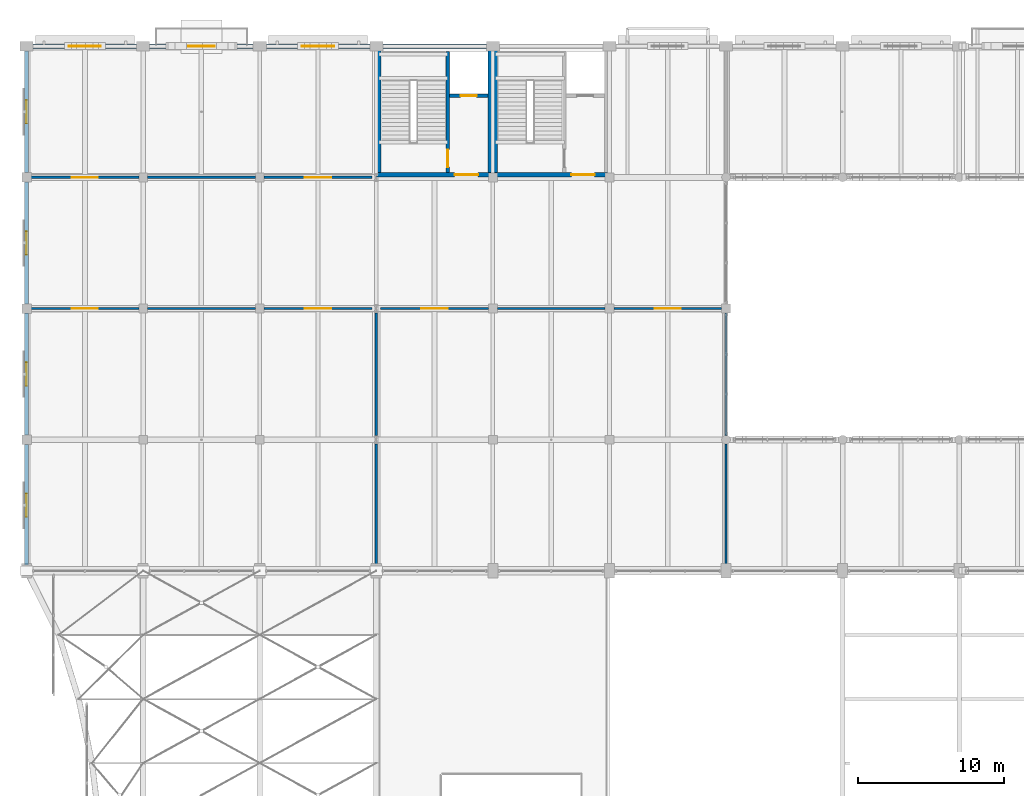
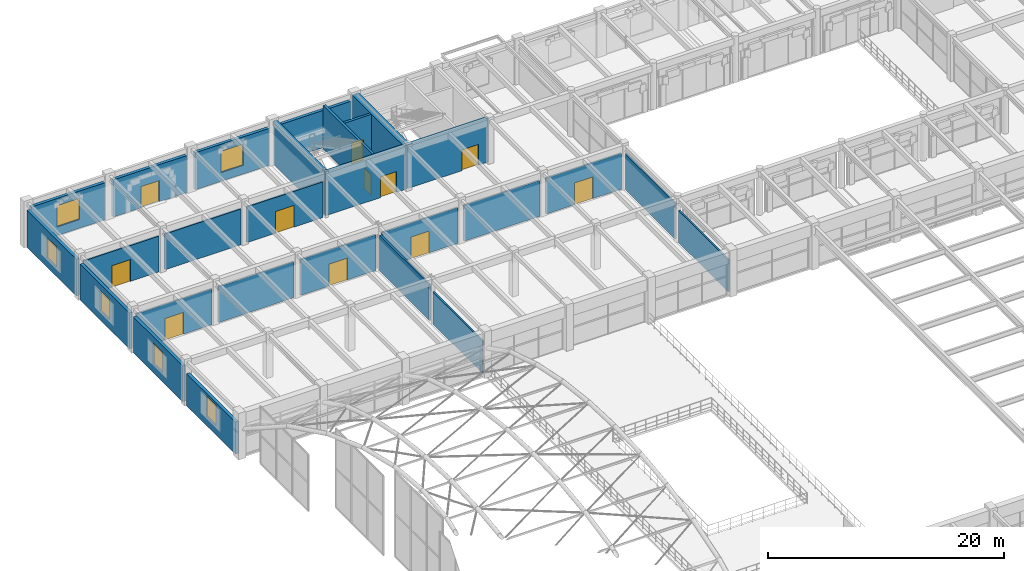
# One storey, part 108 of 144: 28 walls, 11 doors, 6 windows, 17 openings.
"""IFC4 building model written with IfcOpenShell, lengths in metres."""

import ifcopenshell
import ifcopenshell.guid

model = None  # the IFC model being written
_history = None  # IfcOwnerHistory: only IFC2X3 demands one
_inside = {}  # id of a spatial element -> (the spatial element, [elements in it])
_under = {}  # id of a project, library or spatial element -> (it, [spatial elements below it])
_declared = {}  # id of a project -> (the project, [libraries it declares])
_typed = {}  # id of a type object -> (the type object, [elements of that type])
_made_of = {}  # id of a material, layer set ... -> (it, [elements and type objects made of it])


def new_model(schema):
    """Start an empty IFC model of exactly this schema.

    Asked for "IFC4X3", IfcOpenShell would pick the latest addendum, in which some entities
    have other attributes; the version numbers below select the first issue.
    IFC2X3 requires an IfcOwnerHistory on every rooted entity: one is made here for all.
    """
    global model, _history
    if schema == "IFC4X3":
        model = ifcopenshell.file(schema_version=(4, 3, 0, 0))
    else:
        model = ifcopenshell.file(schema=schema)
    _inside.clear()
    _under.clear()
    _declared.clear()
    _typed.clear()
    _made_of.clear()
    _history = None
    if model.schema == "IFC2X3":
        org = make("IfcOrganization", Name="unknown")
        user = make(
            "IfcPersonAndOrganization",
            ThePerson=make("IfcPerson", FamilyName="unknown"),
            TheOrganization=org,
        )
        app = make(
            "IfcApplication",
            ApplicationDeveloper=org,
            Version="unknown",
            ApplicationFullName="unknown",
            ApplicationIdentifier="unknown",
        )
        _history = make(
            "IfcOwnerHistory",
            OwningUser=user,
            OwningApplication=app,
            ChangeAction="ADDED",
            CreationDate=0,
        )
    return model


def make(cls, **values):
    """One entity of the class cls with the attributes given. An attribute that is None is left unset."""
    return model.create_entity(
        cls, **{name: value for name, value in values.items() if value is not None}
    )


def rooted(cls, **values):
    """An entity with a GlobalId (a new one), such as an element, a storey or a relation."""
    return make(cls, GlobalId=ifcopenshell.guid.new(), OwnerHistory=_history, **values)


def si_unit(unit_type, name, prefix=None):
    """IfcSIUnit, for example si_unit("LENGTHUNIT", "METRE", prefix="MILLI")."""
    return make("IfcSIUnit", UnitType=unit_type, Prefix=prefix, Name=name)


def assignment(units):
    """IfcUnitAssignment: the units of a project."""
    return None if units is None else make("IfcUnitAssignment", Units=units)


def point(xyz):
    """IfcCartesianPoint."""
    return None if xyz is None else make("IfcCartesianPoint", Coordinates=xyz)


def direction(xyz):
    """IfcDirection."""
    return None if xyz is None else make("IfcDirection", DirectionRatios=xyz)


def frame(location, z_axis=None, x_axis=None):
    """IfcAxis2Placement3D, a coordinate frame: its origin and axes. An axis left out is left unset."""
    return make(
        "IfcAxis2Placement3D",
        Location=point(location),
        Axis=direction(z_axis),
        RefDirection=direction(x_axis),
    )


def frame_2d(location, x_axis=None):
    """IfcAxis2Placement2D, a coordinate frame in the plane: its origin and x axis."""
    return make(
        "IfcAxis2Placement2D", Location=point(location), RefDirection=direction(x_axis)
    )


def origin():
    """The frame at (0, 0, 0) with its axes left unset."""
    return frame((0.0, 0.0, 0.0))


def place(relative_to, where):
    """IfcLocalPlacement: puts the frame where relative to a parent placement (None: the world)."""
    return make(
        "IfcLocalPlacement", PlacementRelTo=relative_to, RelativePlacement=where
    )


def context(
    kind, dimensions, precision=None, world=None, true_north=None, identifier=None
):
    """IfcGeometricRepresentationContext, for example the 3D "Model" context."""
    return make(
        "IfcGeometricRepresentationContext",
        ContextIdentifier=identifier,
        ContextType=kind,
        CoordinateSpaceDimension=dimensions,
        Precision=precision,
        WorldCoordinateSystem=world,
        TrueNorth=true_north,
    )


def subcontext(parent, identifier, kind, view, scale=None):
    """IfcGeometricRepresentationSubContext, for example "Body" below "Model"."""
    return make(
        "IfcGeometricRepresentationSubContext",
        ContextIdentifier=identifier,
        ContextType=kind,
        ParentContext=parent,
        TargetScale=scale,
        TargetView=view,
    )


def project(units=None, contexts=None):
    """IfcProject with its units and contexts."""
    return rooted(
        "IfcProject",
        Name="project",
        RepresentationContexts=contexts,
        UnitsInContext=assignment(units),
    )


def spatial(cls, under=None, at=None, **own):
    """A site, building, storey or space (cls), placed at a placement, below another one or the project."""
    s = rooted(cls, ObjectPlacement=at, **own)
    if under is not None:
        _under.setdefault(under.id(), (under, []))[1].append(s)
    return s


def profile(cls, at=None, kind="AREA", **sizes):
    """A parametric profile (cls). Its sizes go by their IFC names, for example OverallWidth=200.0."""
    return make(cls, ProfileType=kind, Position=at, **sizes)


def rectangle(**sizes):
    """IfcRectangleProfileDef."""
    return profile("IfcRectangleProfileDef", **sizes)


def extrude(swept, where, along, depth):
    """IfcExtrudedAreaSolid: the profile swept, set in the frame where, extruded along a direction by depth."""
    return make(
        "IfcExtrudedAreaSolid",
        SweptArea=swept,
        Position=where,
        ExtrudedDirection=direction(along),
        Depth=depth,
    )


def shape(context_of_items, identifier, shape_type, items):
    """IfcShapeRepresentation: the items that make up one representation, for example the "Body"."""
    return make(
        "IfcShapeRepresentation",
        ContextOfItems=context_of_items,
        RepresentationIdentifier=identifier,
        RepresentationType=shape_type,
        Items=items,
    )


def material(Name=None, Category=None):
    """IfcMaterial."""
    return make("IfcMaterial", Name=Name, Category=Category)


def layer(
    of_material, thickness, ventilated=None, Name=None, Category=None, Priority=None
):
    """IfcMaterialLayer: one layer of a wall or slab, of a material (None: an air gap)."""
    return make(
        "IfcMaterialLayer",
        Material=of_material,
        LayerThickness=thickness,
        IsVentilated=ventilated,
        Name=Name,
        Category=Category,
        Priority=Priority,
    )


def layer_set(layers, Name=None):
    """IfcMaterialLayerSet."""
    return make("IfcMaterialLayerSet", MaterialLayers=layers, LayerSetName=Name)


def made_of(thing, what):
    """Note that an element or type object is made of a material, layer set ...; save() writes the relation."""
    if what is not None:
        _made_of.setdefault(what.id(), (what, []))[1].append(thing)
    return thing


def type_object(cls, material=None, **own):
    """A type object (cls), such as IfcWallType, which elements share."""
    return made_of(rooted(cls, **own), material)


def element(
    cls,
    number,
    at=None,
    inside=None,
    cuts=None,
    type_object=None,
    material=None,
    context=None,
    identifier="Body",
    shape_type=None,
    held_by="IfcProductDefinitionShape",
    body=None,
    shapes=None,
    **own,
):
    """One element of the class cls, such as IfcWall. Its Tag is "e" and its number.

    at: its placement. inside: the storey or other place that contains it. cuts: it is an
    opening in that element (IfcRelVoidsElement). A single representation is given by context,
    identifier, shape_type and body (its items); several are given by shapes. held_by: the class
    of the entity that holds the representations. save() writes the other relations.
    """
    e = rooted(cls, Tag="e%d" % number, ObjectPlacement=at, **own)
    if body is not None:
        shapes = [shape(context, identifier, shape_type, body)]
    if shapes is not None:
        e.Representation = make(held_by, Representations=shapes)
    if inside is not None:
        _inside.setdefault(inside.id(), (inside, []))[1].append(e)
    if cuts is not None:
        rooted(
            "IfcRelVoidsElement", RelatingBuildingElement=cuts, RelatedOpeningElement=e
        )
    if type_object is not None:
        _typed.setdefault(type_object.id(), (type_object, []))[1].append(e)
    return made_of(e, material)


def fill(opening, filler):
    """IfcRelFillsElement: the door or window that sits in an opening."""
    return rooted(
        "IfcRelFillsElement",
        RelatingOpeningElement=opening,
        RelatedBuildingElement=filler,
    )


def aggregate(whole, parts):
    """IfcRelAggregates: a whole, such as a stair, and the parts it consists of."""
    return rooted("IfcRelAggregates", RelatingObject=whole, RelatedObjects=parts)


def save(model, path):
    """Write the relations noted so far, then the file.

    IfcRelAggregates (storeys below a building ...), IfcRelContainedInSpatialStructure (elements
    in a storey), IfcRelDefinesByType, IfcRelAssociatesMaterial and IfcRelDeclares: one each for
    every whole, place, type object, material and project.
    """
    for whole, parts in _under.values():
        aggregate(whole, parts)
    for where, things in _inside.values():
        rooted(
            "IfcRelContainedInSpatialStructure",
            RelatedElements=things,
            RelatingStructure=where,
        )
    for kind, things in _typed.values():
        rooted("IfcRelDefinesByType", RelatedObjects=things, RelatingType=kind)
    for what, things in _made_of.values():
        rooted("IfcRelAssociatesMaterial", RelatedObjects=things, RelatingMaterial=what)
    for by, libraries in _declared.values():
        rooted("IfcRelDeclares", RelatingContext=by, RelatedDefinitions=libraries)
    model.write(path)


model = new_model("IFC4")

# Units and contexts
model_context = context("Model", 3, precision=1e-05, world=origin(), true_north=direction((0.0, 1.0)))
body_context = subcontext(model_context, "Body", "Model", "MODEL_VIEW")
ifc_project = project(units=[si_unit("LENGTHUNIT", "METRE"), si_unit("AREAUNIT", "SQUARE_METRE"), si_unit("VOLUMEUNIT", "CUBIC_METRE"), si_unit("PLANEANGLEUNIT", "RADIAN"), si_unit("MASSUNIT", "GRAM", prefix="KILO")], contexts=[model_context])

# Site, building, storey
site_placement = place(None, origin())
site = spatial("IfcSite", under=ifc_project, at=site_placement, CompositionType="ELEMENT")
building_placement = place(site_placement, origin())
building = spatial("IfcBuilding", under=site, at=building_placement, Name="Varnabhumi Central Station", CompositionType="ELEMENT")
storey_placement = place(building_placement, frame((0.0, 0.0, 4.800048828125)))
storey = spatial("IfcBuildingStorey", under=building, at=storey_placement, Name="L01", CompositionType="ELEMENT", Elevation=4.800048828125)

# Walls
ifc_material_1 = material(Name="Concrete M40", Category="concrete")
ifc_layer_1 = layer(ifc_material_1, 0.300048828125, Name="Concrete M40", Category="concrete")
ifc_layer_set_1 = layer_set([ifc_layer_1], Name="Concrete M40")
wall_type_1 = type_object("IfcWallType", Name="WAL-CORE-RC-300", PredefinedType="SHEAR", material=ifc_layer_set_1)
for number, where, z_axis, x_axis, name in (
    (1, (24.179931640625, 107.179931640625, 0.0), (0.0, 0.0, 1.0), (0.0, 1.0, 0.0), "NC1 L01 West Shear Wall"),
    (2, (31.820068359375, 107.179931640625, 0.0), (0.0, 0.0, 1.0), (0.0, 1.0, 0.0), "NC1 L01 East Shear Wall"),
):
    element("IfcWall", number, at=place(storey_placement, frame(where, z_axis=z_axis, x_axis=x_axis)), inside=storey, type_object=wall_type_1, Name=name, PredefinedType="SHEAR", context=body_context, shape_type="SweptSolid", body=[
        extrude(rectangle(XDim=8.64013671875, YDim=0.300048828125, at=frame_2d((4.320068359375, 0.0))), origin(), (0.0, 0.0, 1.0), 4.52001953125),
    ])

# Wall, opening, door
wall_1_placement = place(storey_placement, frame((24.030029296875, 107.179931640625, 0.0), z_axis=(0.0, 0.0, 1.0), x_axis=(1.0, 0.0, 0.0)))
wall_1 = element("IfcWall", 3, at=wall_1_placement, inside=storey, type_object=wall_type_1, Name="NC1 L01 Corridor Shear Wall", PredefinedType="SHEAR", context=body_context, shape_type="SweptSolid", body=[
    extrude(rectangle(XDim=7.93994140625, YDim=0.300048828125, at=frame_2d((3.969970703125, 0.0))), origin(), (0.0, 0.0, 1.0), 4.52001953125),
])
opening_1_placement = place(wall_1_placement, frame((5.35009765625, 0.0, 0.0)))
opening_1 = element("IfcOpeningElement", 4, at=opening_1_placement, cuts=wall_1, Name="Opening FD-60D", PredefinedType="OPENING", context=body_context, shape_type="SweptSolid", body=[
    extrude(rectangle(XDim=1.60009765625, YDim=2.14990234375, at=frame_2d((0.800048828125, 1.074951171875))), frame((0.0, 0.159912109375, 0.0), z_axis=(0.0, -1.0, 0.0), x_axis=(1.0, 0.0, 0.0)), (0.0, 0.0, 1.0), 0.320068359375),
])
ifc_material_2 = material(Name="Intumescent-treated hardwood timber", Category="wood")
door_type_1 = type_object("IfcDoorType", Name="DR-FIRE-60-1600", OperationType="NOTDEFINED", PredefinedType="DOOR", material=ifc_material_2)
door_1_placement = place(opening_1_placement, frame((1.60009765625, 0.0, 0.0), z_axis=(0.0, 0.0, 1.0), x_axis=(-1.0, 0.0, 0.0)))
door_1 = element("IfcDoor", 5, at=door_1_placement, inside=storey, type_object=door_type_1, Name="NC1 L01 Lobby Fire Door", OperationType="DOUBLE_DOOR_SINGLE_SWING", OverallHeight=2.14990234375, OverallWidth=1.60009765625, PredefinedType="DOOR", context=body_context, shape_type="SweptSolid", body=[
    extrude(rectangle(XDim=1.60009765625, YDim=2.14990234375, at=frame_2d((0.800048828125, 1.074951171875))), frame((0.0, 0.02490234375, 0.0), z_axis=(0.0, -1.0, 0.0), x_axis=(1.0, 0.0, 0.0)), (0.0, 0.0, 1.0), 0.050048828125),
])
fill(opening_1, door_1)

# Wall
wall_2_placement = place(storey_placement, frame((32.179931640625, 107.179931640625, 0.0), z_axis=(0.0, 0.0, 1.0), x_axis=(0.0, 1.0, 0.0)))
element("IfcWall", 6, at=wall_2_placement, inside=storey, type_object=wall_type_1, Name="NC4 L01 West Shear Wall", PredefinedType="SHEAR", context=body_context, shape_type="SweptSolid", body=[
    extrude(rectangle(XDim=8.64013671875, YDim=0.300048828125, at=frame_2d((4.320068359375, 0.0))), origin(), (0.0, 0.0, 1.0), 4.52001953125),
])

# Wall, opening, door
wall_3_placement = place(storey_placement, frame((32.030029296875, 107.179931640625, 0.0), z_axis=(0.0, 0.0, 1.0), x_axis=(1.0, 0.0, 0.0)))
wall_3 = element("IfcWall", 7, at=wall_3_placement, inside=storey, type_object=wall_type_1, Name="NC4 L01 Corridor Shear Wall", PredefinedType="SHEAR", context=body_context, shape_type="SweptSolid", body=[
    extrude(rectangle(XDim=7.93994140625, YDim=0.300048828125, at=frame_2d((3.969970703125, 0.0))), origin(), (0.0, 0.0, 1.0), 4.52001953125),
])
opening_2_placement = place(wall_3_placement, frame((5.35009765625, 0.0, 0.0)))
opening_2 = element("IfcOpeningElement", 8, at=opening_2_placement, cuts=wall_3, Name="Opening FD-60D", PredefinedType="OPENING", context=body_context, shape_type="SweptSolid", body=[
    extrude(rectangle(XDim=1.60009765625, YDim=2.14990234375, at=frame_2d((0.800048828125, 1.074951171875))), frame((0.0, 0.159912109375, 0.0), z_axis=(0.0, -1.0, 0.0), x_axis=(1.0, 0.0, 0.0)), (0.0, 0.0, 1.0), 0.320068359375),
])
door_2_placement = place(opening_2_placement, frame((1.60009765625, 0.0, 0.0), z_axis=(0.0, 0.0, 1.0), x_axis=(-1.0, 0.0, 0.0)))
door_2 = element("IfcDoor", 9, at=door_2_placement, inside=storey, type_object=door_type_1, Name="NC4 L01 Lobby Fire Door", OperationType="DOUBLE_DOOR_SINGLE_SWING", OverallHeight=2.14990234375, OverallWidth=1.60009765625, PredefinedType="DOOR", context=body_context, shape_type="SweptSolid", body=[
    extrude(rectangle(XDim=1.60009765625, YDim=2.14990234375, at=frame_2d((0.800048828125, 1.074951171875))), frame((0.0, 0.02490234375, 0.0), z_axis=(0.0, -1.0, 0.0), x_axis=(1.0, 0.0, 0.0)), (0.0, 0.0, 1.0), 0.050048828125),
])
fill(opening_2, door_2)

# Wall, opening, window
ifc_material_3 = material(Name="Autoclaved aerated blockwork masonry", Category="masonry")
ifc_layer_2 = layer(ifc_material_3, 0.300048828125, Name="Autoclaved aerated blockwork masonry", Category="masonry")
ifc_layer_set_2 = layer_set([ifc_layer_2], Name="Autoclaved aerated blockwork masonry")
wall_type_2 = type_object("IfcWallType", Name="WAL-EXT-STUCCO-300", PredefinedType="SOLIDWALL", material=ifc_layer_set_2)
wall_4_placement = place(storey_placement, frame((0.39990234375, 116.0, 0.0), z_axis=(0.0, 0.0, 1.0), x_axis=(1.0, 0.0, 0.0)))
wall_4 = element("IfcWall", 10, at=wall_4_placement, inside=storey, type_object=wall_type_2, Name="North Boulevard Wall L01-1", PredefinedType="SOLIDWALL", context=body_context, shape_type="SweptSolid", body=[
    extrude(rectangle(XDim=7.2001953125, YDim=0.300048828125, at=frame_2d((3.60009765625, 0.0))), origin(), (0.0, 0.0, 1.0), 3.83984375),
])
opening_3_placement = place(wall_4_placement, frame((2.5, 0.0, 0.89990234375)))
opening_3 = element("IfcOpeningElement", 11, at=opening_3_placement, cuts=wall_4, Name="Opening W-03", PredefinedType="OPENING", context=body_context, shape_type="SweptSolid", body=[
    extrude(rectangle(XDim=2.199951171875, YDim=2.199951171875, at=frame_2d((1.10009765625, 1.10009765625))), frame((0.0, 0.159912109375, 0.0), z_axis=(0.0, -1.0, 0.0), x_axis=(1.0, 0.0, 0.0)), (0.0, 0.0, 1.0), 0.320068359375),
])
ifc_material_4 = material(Name="Laminated low-E double glazing", Category="glass")
window_type_1 = type_object("IfcWindowType", Name="WIN-PIER-2200x2200", PartitioningType="DOUBLE_PANEL_VERTICAL", PredefinedType="WINDOW", material=ifc_material_4)
window_1_placement = place(opening_3_placement, origin())
window_1 = element("IfcWindow", 12, at=window_1_placement, inside=storey, type_object=window_type_1, Name="North Facade Window L01-1", OverallHeight=2.199951171875, OverallWidth=2.199951171875, PartitioningType="SINGLE_PANEL", PredefinedType="WINDOW", context=body_context, shape_type="SweptSolid", body=[
    extrude(rectangle(XDim=2.199951171875, YDim=2.199951171875, at=frame_2d((1.10009765625, 1.10009765625))), frame((0.0, 0.030029296875, 0.0), z_axis=(0.0, -1.0, 0.0), x_axis=(1.0, 0.0, 0.0)), (0.0, 0.0, 1.0), 0.06005859375),
])
fill(opening_3, window_1)

# Wall, opening, door
wall_5_placement = place(storey_placement, frame((8.39990234375, 116.0, 0.0), z_axis=(0.0, 0.0, 1.0), x_axis=(1.0, 0.0, 0.0)))
wall_5 = element("IfcWall", 13, at=wall_5_placement, inside=storey, type_object=wall_type_2, Name="North Boulevard Wall L01-2", PredefinedType="SOLIDWALL", context=body_context, shape_type="SweptSolid", body=[
    extrude(rectangle(XDim=7.2001953125, YDim=0.300048828125, at=frame_2d((3.60009765625, 0.0))), origin(), (0.0, 0.0, 1.0), 3.83984375),
])
opening_4_placement = place(wall_5_placement, frame((2.699951171875, 0.0, 0.0)))
opening_4 = element("IfcOpeningElement", 14, at=opening_4_placement, cuts=wall_5, Name="Opening ED-4", PredefinedType="OPENING", context=body_context, shape_type="SweptSolid", body=[
    extrude(rectangle(XDim=1.800048828125, YDim=2.199951171875, at=frame_2d((0.89990234375, 1.10009765625))), frame((0.0, 0.159912109375, 0.0), z_axis=(0.0, -1.0, 0.0), x_axis=(1.0, 0.0, 0.0)), (0.0, 0.0, 1.0), 0.320068359375),
])
ifc_material_5 = material(Name="Anodised aluminium 6063-T6", Category="aluminium")
door_type_2 = type_object("IfcDoorType", Name="DR-EXT-AZOTEA-1800", OperationType="NOTDEFINED", PredefinedType="DOOR", material=ifc_material_5)
door_3_placement = place(opening_4_placement, origin())
door_3 = element("IfcDoor", 15, at=door_3_placement, inside=storey, type_object=door_type_2, Name="North Boulevard Balcony French Door L01-2", OperationType="DOUBLE_DOOR_SINGLE_SWING", OverallHeight=2.199951171875, OverallWidth=1.800048828125, PredefinedType="DOOR", context=body_context, shape_type="SweptSolid", body=[
    extrude(rectangle(XDim=1.800048828125, YDim=2.199951171875, at=frame_2d((0.89990234375, 1.10009765625))), frame((0.0, 0.02490234375, 0.0), z_axis=(0.0, -1.0, 0.0), x_axis=(1.0, 0.0, 0.0)), (0.0, 0.0, 1.0), 0.050048828125),
])
fill(opening_4, door_3)

# Wall, opening, window
wall_6_placement = place(storey_placement, frame((16.39990234375, 116.0, 0.0), z_axis=(0.0, 0.0, 1.0), x_axis=(1.0, 0.0, 0.0)))
wall_6 = element("IfcWall", 16, at=wall_6_placement, inside=storey, type_object=wall_type_2, Name="North Boulevard Wall L01-3", PredefinedType="SOLIDWALL", context=body_context, shape_type="SweptSolid", body=[
    extrude(rectangle(XDim=7.2001953125, YDim=0.300048828125, at=frame_2d((3.60009765625, 0.0))), origin(), (0.0, 0.0, 1.0), 3.83984375),
])
opening_5_placement = place(wall_6_placement, frame((2.5, 0.0, 0.89990234375)))
opening_5 = element("IfcOpeningElement", 17, at=opening_5_placement, cuts=wall_6, Name="Opening W-03", PredefinedType="OPENING", context=body_context, shape_type="SweptSolid", body=[
    extrude(rectangle(XDim=2.199951171875, YDim=2.199951171875, at=frame_2d((1.10009765625, 1.10009765625))), frame((0.0, 0.159912109375, 0.0), z_axis=(0.0, -1.0, 0.0), x_axis=(1.0, 0.0, 0.0)), (0.0, 0.0, 1.0), 0.320068359375),
])
window_2_placement = place(opening_5_placement, origin())
window_2 = element("IfcWindow", 18, at=window_2_placement, inside=storey, type_object=window_type_1, Name="North Facade Window L01-3", OverallHeight=2.199951171875, OverallWidth=2.199951171875, PartitioningType="SINGLE_PANEL", PredefinedType="WINDOW", context=body_context, shape_type="SweptSolid", body=[
    extrude(rectangle(XDim=2.199951171875, YDim=2.199951171875, at=frame_2d((1.10009765625, 1.10009765625))), frame((0.0, 0.030029296875, 0.0), z_axis=(0.0, -1.0, 0.0), x_axis=(1.0, 0.0, 0.0)), (0.0, 0.0, 1.0), 0.06005859375),
])
fill(opening_5, window_2)

# Wall
wall_7_placement = place(storey_placement, frame((24.39990234375, 116.0, 0.0), z_axis=(0.0, 0.0, 1.0), x_axis=(1.0, 0.0, 0.0)))
element("IfcWall", 19, at=wall_7_placement, inside=storey, type_object=wall_type_2, Name="North Boulevard Wall L01-4", PredefinedType="SOLIDWALL", context=body_context, shape_type="SweptSolid", body=[
    extrude(rectangle(XDim=7.2001953125, YDim=0.300048828125, at=frame_2d((3.60009765625, 0.0))), origin(), (0.0, 0.0, 1.0), 3.83984375),
])

# Wall, opening, window
wall_8_placement = place(storey_placement, frame((0.0, 80.39990234375, 0.0), z_axis=(0.0, 0.0, 1.0), x_axis=(0.0, 1.0, 0.0)))
wall_8 = element("IfcWall", 20, at=wall_8_placement, inside=storey, type_object=wall_type_2, Name="North Wing E End Wall L01-1", PredefinedType="SOLIDWALL", context=body_context, shape_type="SweptSolid", body=[
    extrude(rectangle(XDim=8.280029296875, YDim=0.300048828125, at=frame_2d((4.14013671875, 0.0))), origin(), (0.0, 0.0, 1.0), 3.31005859375),
])
opening_6_placement = place(wall_8_placement, frame((3.300048828125, 0.0, 0.949951171875)))
opening_6 = element("IfcOpeningElement", 21, at=opening_6_placement, cuts=wall_8, Name="Opening W-04", PredefinedType="OPENING", context=body_context, shape_type="SweptSolid", body=[
    extrude(rectangle(XDim=1.60009765625, YDim=2.10009765625, at=frame_2d((0.800048828125, 1.050048828125))), frame((0.0, 0.159912109375, 0.0), z_axis=(0.0, -1.0, 0.0), x_axis=(1.0, 0.0, 0.0)), (0.0, 0.0, 1.0), 0.320068359375),
])
window_type_2 = type_object("IfcWindowType", Name="WIN-PIER-1600x2200", PartitioningType="SINGLE_PANEL", PredefinedType="WINDOW", material=ifc_material_4)
window_3_placement = place(opening_6_placement, origin())
window_3 = element("IfcWindow", 22, at=window_3_placement, inside=storey, type_object=window_type_2, Name="North E Window L01-1", OverallHeight=2.10009765625, OverallWidth=1.60009765625, PartitioningType="SINGLE_PANEL", PredefinedType="WINDOW", context=body_context, shape_type="SweptSolid", body=[
    extrude(rectangle(XDim=1.60009765625, YDim=2.10009765625, at=frame_2d((0.800048828125, 1.050048828125))), frame((0.0, 0.030029296875, 0.0), z_axis=(0.0, -1.0, 0.0), x_axis=(1.0, 0.0, 0.0)), (0.0, 0.0, 1.0), 0.06005859375),
])
fill(opening_6, window_3)

wall_9_placement = place(storey_placement, frame((0.0, 89.320068359375, 0.0), z_axis=(0.0, 0.0, 1.0), x_axis=(0.0, 1.0, 0.0)))
wall_9 = element("IfcWall", 23, at=wall_9_placement, inside=storey, type_object=wall_type_2, Name="North Wing E End Wall L01-2", PredefinedType="SOLIDWALL", context=body_context, shape_type="SweptSolid", body=[
    extrude(rectangle(XDim=8.35986328125, YDim=0.300048828125, at=frame_2d((4.179931640625, 0.0))), origin(), (0.0, 0.0, 1.0), 3.7099609375),
])
opening_7_placement = place(wall_9_placement, frame((3.3798828125, 0.0, 0.949951171875)))
opening_7 = element("IfcOpeningElement", 24, at=opening_7_placement, cuts=wall_9, Name="Opening W-04", PredefinedType="OPENING", context=body_context, shape_type="SweptSolid", body=[
    extrude(rectangle(XDim=1.60009765625, YDim=2.10009765625, at=frame_2d((0.800048828125, 1.050048828125))), frame((0.0, 0.159912109375, 0.0), z_axis=(0.0, -1.0, 0.0), x_axis=(1.0, 0.0, 0.0)), (0.0, 0.0, 1.0), 0.320068359375),
])
window_4_placement = place(opening_7_placement, origin())
window_4 = element("IfcWindow", 25, at=window_4_placement, inside=storey, type_object=window_type_2, Name="North E Window L01-2", OverallHeight=2.10009765625, OverallWidth=1.60009765625, PartitioningType="SINGLE_PANEL", PredefinedType="WINDOW", context=body_context, shape_type="SweptSolid", body=[
    extrude(rectangle(XDim=1.60009765625, YDim=2.10009765625, at=frame_2d((0.800048828125, 1.050048828125))), frame((0.0, 0.030029296875, 0.0), z_axis=(0.0, -1.0, 0.0), x_axis=(1.0, 0.0, 0.0)), (0.0, 0.0, 1.0), 0.06005859375),
])
fill(opening_7, window_4)

wall_10_placement = place(storey_placement, frame((0.0, 98.320068359375, 0.0), z_axis=(0.0, 0.0, 1.0), x_axis=(0.0, 1.0, 0.0)))
wall_10 = element("IfcWall", 26, at=wall_10_placement, inside=storey, type_object=wall_type_2, Name="North Wing E End Wall L01-3", PredefinedType="SOLIDWALL", context=body_context, shape_type="SweptSolid", body=[
    extrude(rectangle(XDim=8.35986328125, YDim=0.300048828125, at=frame_2d((4.179931640625, 0.0))), origin(), (0.0, 0.0, 1.0), 3.7099609375),
])
opening_8_placement = place(wall_10_placement, frame((3.3798828125, 0.0, 0.949951171875)))
opening_8 = element("IfcOpeningElement", 27, at=opening_8_placement, cuts=wall_10, Name="Opening W-04", PredefinedType="OPENING", context=body_context, shape_type="SweptSolid", body=[
    extrude(rectangle(XDim=1.60009765625, YDim=2.10009765625, at=frame_2d((0.800048828125, 1.050048828125))), frame((0.0, 0.159912109375, 0.0), z_axis=(0.0, -1.0, 0.0), x_axis=(1.0, 0.0, 0.0)), (0.0, 0.0, 1.0), 0.320068359375),
])
window_5_placement = place(opening_8_placement, origin())
window_5 = element("IfcWindow", 28, at=window_5_placement, inside=storey, type_object=window_type_2, Name="North E Window L01-3", OverallHeight=2.10009765625, OverallWidth=1.60009765625, PartitioningType="SINGLE_PANEL", PredefinedType="WINDOW", context=body_context, shape_type="SweptSolid", body=[
    extrude(rectangle(XDim=1.60009765625, YDim=2.10009765625, at=frame_2d((0.800048828125, 1.050048828125))), frame((0.0, 0.030029296875, 0.0), z_axis=(0.0, -1.0, 0.0), x_axis=(1.0, 0.0, 0.0)), (0.0, 0.0, 1.0), 0.06005859375),
])
fill(opening_8, window_5)

wall_11_placement = place(storey_placement, frame((0.0, 107.320068359375, 0.0), z_axis=(0.0, 0.0, 1.0), x_axis=(0.0, 1.0, 0.0)))
wall_11 = element("IfcWall", 29, at=wall_11_placement, inside=storey, type_object=wall_type_2, Name="North Wing E End Wall L01-4", PredefinedType="SOLIDWALL", context=body_context, shape_type="SweptSolid", body=[
    extrude(rectangle(XDim=8.35986328125, YDim=0.300048828125, at=frame_2d((4.179931640625, 0.0))), origin(), (0.0, 0.0, 1.0), 3.81005859375),
])
opening_9_placement = place(wall_11_placement, frame((3.3798828125, 0.0, 0.949951171875)))
opening_9 = element("IfcOpeningElement", 30, at=opening_9_placement, cuts=wall_11, Name="Opening W-04", PredefinedType="OPENING", context=body_context, shape_type="SweptSolid", body=[
    extrude(rectangle(XDim=1.60009765625, YDim=2.10009765625, at=frame_2d((0.800048828125, 1.050048828125))), frame((0.0, 0.159912109375, 0.0), z_axis=(0.0, -1.0, 0.0), x_axis=(1.0, 0.0, 0.0)), (0.0, 0.0, 1.0), 0.320068359375),
])
window_6_placement = place(opening_9_placement, origin())
window_6 = element("IfcWindow", 31, at=window_6_placement, inside=storey, type_object=window_type_2, Name="North E Window L01-4", OverallHeight=2.10009765625, OverallWidth=1.60009765625, PartitioningType="SINGLE_PANEL", PredefinedType="WINDOW", context=body_context, shape_type="SweptSolid", body=[
    extrude(rectangle(XDim=1.60009765625, YDim=2.10009765625, at=frame_2d((0.800048828125, 1.050048828125))), frame((0.0, 0.030029296875, 0.0), z_axis=(0.0, -1.0, 0.0), x_axis=(1.0, 0.0, 0.0)), (0.0, 0.0, 1.0), 0.06005859375),
])
fill(opening_9, window_6)

# Wall, opening, door
ifc_layer_3 = layer(ifc_material_3, 0.159912109375, Name="Autoclaved aerated blockwork masonry", Category="masonry")
ifc_layer_set_3 = layer_set([ifc_layer_3], Name="Autoclaved aerated blockwork masonry")
wall_type_3 = type_object("IfcWallType", Name="WAL-PART-AAC-160", PredefinedType="PARTITIONING", material=ifc_layer_set_3)
wall_12_placement = place(storey_placement, frame((0.300048828125, 98.0, 0.0), z_axis=(0.0, 0.0, 1.0), x_axis=(1.0, 0.0, 0.0)))
wall_12 = element("IfcWall", 32, at=wall_12_placement, inside=storey, type_object=wall_type_3, Name="Varnabhumi Grand Station Cafe Corridor Partition 1", PredefinedType="PARTITIONING", context=body_context, shape_type="SweptSolid", body=[
    extrude(rectangle(XDim=7.39990234375, YDim=0.159912109375, at=frame_2d((3.699951171875, 0.0))), origin(), (0.0, 0.0, 1.0), 3.699951171875),
])
opening_10_placement = place(wall_12_placement, frame((2.800048828125, 0.0, 0.0)))
opening_10 = element("IfcOpeningElement", 33, at=opening_10_placement, cuts=wall_12, Name="Opening D-02", PredefinedType="OPENING", context=body_context, shape_type="SweptSolid", body=[
    extrude(rectangle(XDim=1.800048828125, YDim=2.25, at=frame_2d((0.89990234375, 1.125))), frame((0.0, 0.08984375, 0.0), z_axis=(0.0, -1.0, 0.0), x_axis=(1.0, 0.0, 0.0)), (0.0, 0.0, 1.0), 0.179931640625),
])
door_type_3 = type_object("IfcDoorType", Name="DR-LOUNGE-1800", OperationType="NOTDEFINED", PredefinedType="DOOR", material=ifc_material_5)
door_4_placement = place(opening_10_placement, origin())
door_4 = element("IfcDoor", 34, at=door_4_placement, inside=storey, type_object=door_type_3, Name="Varnabhumi Grand Station Cafe Door 1", OperationType="DOUBLE_DOOR_SINGLE_SWING", OverallHeight=2.25, OverallWidth=1.800048828125, PredefinedType="DOOR", context=body_context, shape_type="SweptSolid", body=[
    extrude(rectangle(XDim=1.800048828125, YDim=2.25, at=frame_2d((0.89990234375, 1.125))), frame((0.0, 0.02490234375, 0.0), z_axis=(0.0, -1.0, 0.0), x_axis=(1.0, 0.0, 0.0)), (0.0, 0.0, 1.0), 0.050048828125),
])
fill(opening_10, door_4)

# Wall
wall_13_placement = place(storey_placement, frame((8.300048828125, 98.0, 0.0), z_axis=(0.0, 0.0, 1.0), x_axis=(1.0, 0.0, 0.0)))
element("IfcWall", 35, at=wall_13_placement, inside=storey, type_object=wall_type_3, Name="Varnabhumi Grand Station Cafe Corridor Partition 2", PredefinedType="PARTITIONING", context=body_context, shape_type="SweptSolid", body=[
    extrude(rectangle(XDim=7.39990234375, YDim=0.159912109375, at=frame_2d((3.699951171875, 0.0))), origin(), (0.0, 0.0, 1.0), 3.699951171875),
])

# Wall, opening, door
wall_14_placement = place(storey_placement, frame((16.300048828125, 98.0, 0.0), z_axis=(0.0, 0.0, 1.0), x_axis=(1.0, 0.0, 0.0)))
wall_14 = element("IfcWall", 36, at=wall_14_placement, inside=storey, type_object=wall_type_3, Name="Varnabhumi Grand Station Cafe Corridor Partition 3", PredefinedType="PARTITIONING", context=body_context, shape_type="SweptSolid", body=[
    extrude(rectangle(XDim=7.39990234375, YDim=0.159912109375, at=frame_2d((3.699951171875, 0.0))), origin(), (0.0, 0.0, 1.0), 3.699951171875),
])
opening_11_placement = place(wall_14_placement, frame((2.800048828125, 0.0, 0.0)))
opening_11 = element("IfcOpeningElement", 37, at=opening_11_placement, cuts=wall_14, Name="Opening D-02", PredefinedType="OPENING", context=body_context, shape_type="SweptSolid", body=[
    extrude(rectangle(XDim=1.800048828125, YDim=2.25, at=frame_2d((0.89990234375, 1.125))), frame((0.0, 0.08984375, 0.0), z_axis=(0.0, -1.0, 0.0), x_axis=(1.0, 0.0, 0.0)), (0.0, 0.0, 1.0), 0.179931640625),
])
door_5_placement = place(opening_11_placement, origin())
door_5 = element("IfcDoor", 38, at=door_5_placement, inside=storey, type_object=door_type_3, Name="Varnabhumi Grand Station Cafe Door 3", OperationType="DOUBLE_DOOR_SINGLE_SWING", OverallHeight=2.25, OverallWidth=1.800048828125, PredefinedType="DOOR", context=body_context, shape_type="SweptSolid", body=[
    extrude(rectangle(XDim=1.800048828125, YDim=2.25, at=frame_2d((0.89990234375, 1.125))), frame((0.0, 0.02490234375, 0.0), z_axis=(0.0, -1.0, 0.0), x_axis=(1.0, 0.0, 0.0)), (0.0, 0.0, 1.0), 0.050048828125),
])
fill(opening_11, door_5)

# Walls
wall_15_placement = place(storey_placement, frame((24.0, 80.300048828125, 0.0), z_axis=(0.0, 0.0, 1.0), x_axis=(0.0, 1.0, 0.0)))
element("IfcWall", 39, at=wall_15_placement, inside=storey, type_object=wall_type_3, Name="Varnabhumi Grand Station Cafe W Partition 1", PredefinedType="PARTITIONING", context=body_context, shape_type="SweptSolid", body=[
    extrude(rectangle(XDim=8.39990234375, YDim=0.159912109375, at=frame_2d((4.199951171875, 0.0))), origin(), (0.0, 0.0, 1.0), 3.31005859375),
])
wall_16_placement = place(storey_placement, frame((24.0, 89.300048828125, 0.0), z_axis=(0.0, 0.0, 1.0), x_axis=(0.0, 1.0, 0.0)))
element("IfcWall", 40, at=wall_16_placement, inside=storey, type_object=wall_type_3, Name="Varnabhumi Grand Station Cafe W Partition 2", PredefinedType="PARTITIONING", context=body_context, shape_type="SweptSolid", body=[
    extrude(rectangle(XDim=8.39990234375, YDim=0.159912109375, at=frame_2d((4.199951171875, 0.0))), origin(), (0.0, 0.0, 1.0), 3.699951171875),
])

# Wall, opening, door
wall_17_placement = place(storey_placement, frame((0.300048828125, 107.0, 0.0), z_axis=(0.0, 0.0, 1.0), x_axis=(1.0, 0.0, 0.0)))
wall_17 = element("IfcWall", 41, at=wall_17_placement, inside=storey, type_object=wall_type_3, Name="Station Cafe and Refreshment Kitchen Corridor Partition 1", PredefinedType="PARTITIONING", context=body_context, shape_type="SweptSolid", body=[
    extrude(rectangle(XDim=7.39990234375, YDim=0.159912109375, at=frame_2d((3.699951171875, 0.0))), origin(), (0.0, 0.0, 1.0), 3.699951171875),
])
opening_12_placement = place(wall_17_placement, frame((2.800048828125, 0.0, 0.0)))
opening_12 = element("IfcOpeningElement", 42, at=opening_12_placement, cuts=wall_17, Name="Opening D-02", PredefinedType="OPENING", context=body_context, shape_type="SweptSolid", body=[
    extrude(rectangle(XDim=1.800048828125, YDim=2.25, at=frame_2d((0.89990234375, 1.125))), frame((0.0, 0.08984375, 0.0), z_axis=(0.0, -1.0, 0.0), x_axis=(1.0, 0.0, 0.0)), (0.0, 0.0, 1.0), 0.179931640625),
])
door_6_placement = place(opening_12_placement, frame((1.800048828125, 0.0, 0.0), z_axis=(0.0, 0.0, 1.0), x_axis=(-1.0, 0.0, 0.0)))
door_6 = element("IfcDoor", 43, at=door_6_placement, inside=storey, type_object=door_type_3, Name="Station Cafe and Refreshment Kitchen Door 1", OperationType="DOUBLE_DOOR_SINGLE_SWING", OverallHeight=2.25, OverallWidth=1.800048828125, PredefinedType="DOOR", context=body_context, shape_type="SweptSolid", body=[
    extrude(rectangle(XDim=1.800048828125, YDim=2.25, at=frame_2d((0.89990234375, 1.125))), frame((0.0, 0.02490234375, 0.0), z_axis=(0.0, -1.0, 0.0), x_axis=(1.0, 0.0, 0.0)), (0.0, 0.0, 1.0), 0.050048828125),
])
fill(opening_12, door_6)

# Wall
wall_18_placement = place(storey_placement, frame((8.300048828125, 107.0, 0.0), z_axis=(0.0, 0.0, 1.0), x_axis=(1.0, 0.0, 0.0)))
element("IfcWall", 44, at=wall_18_placement, inside=storey, type_object=wall_type_3, Name="Station Cafe and Refreshment Kitchen Corridor Partition 2", PredefinedType="PARTITIONING", context=body_context, shape_type="SweptSolid", body=[
    extrude(rectangle(XDim=7.39990234375, YDim=0.159912109375, at=frame_2d((3.699951171875, 0.0))), origin(), (0.0, 0.0, 1.0), 3.699951171875),
])

# Wall, opening, door
wall_19_placement = place(storey_placement, frame((16.300048828125, 107.0, 0.0), z_axis=(0.0, 0.0, 1.0), x_axis=(1.0, 0.0, 0.0)))
wall_19 = element("IfcWall", 45, at=wall_19_placement, inside=storey, type_object=wall_type_3, Name="Station Cafe and Refreshment Kitchen Corridor Partition 3", PredefinedType="PARTITIONING", context=body_context, shape_type="SweptSolid", body=[
    extrude(rectangle(XDim=7.39990234375, YDim=0.159912109375, at=frame_2d((3.699951171875, 0.0))), origin(), (0.0, 0.0, 1.0), 3.699951171875),
])
opening_13_placement = place(wall_19_placement, frame((2.800048828125, 0.0, 0.0)))
opening_13 = element("IfcOpeningElement", 46, at=opening_13_placement, cuts=wall_19, Name="Opening D-02", PredefinedType="OPENING", context=body_context, shape_type="SweptSolid", body=[
    extrude(rectangle(XDim=1.800048828125, YDim=2.25, at=frame_2d((0.89990234375, 1.125))), frame((0.0, 0.08984375, 0.0), z_axis=(0.0, -1.0, 0.0), x_axis=(1.0, 0.0, 0.0)), (0.0, 0.0, 1.0), 0.179931640625),
])
door_7_placement = place(opening_13_placement, frame((1.800048828125, 0.0, 0.0), z_axis=(0.0, 0.0, 1.0), x_axis=(-1.0, 0.0, 0.0)))
door_7 = element("IfcDoor", 47, at=door_7_placement, inside=storey, type_object=door_type_3, Name="Station Cafe and Refreshment Kitchen Door 3", OperationType="DOUBLE_DOOR_SINGLE_SWING", OverallHeight=2.25, OverallWidth=1.800048828125, PredefinedType="DOOR", context=body_context, shape_type="SweptSolid", body=[
    extrude(rectangle(XDim=1.800048828125, YDim=2.25, at=frame_2d((0.89990234375, 1.125))), frame((0.0, 0.02490234375, 0.0), z_axis=(0.0, -1.0, 0.0), x_axis=(1.0, 0.0, 0.0)), (0.0, 0.0, 1.0), 0.050048828125),
])
fill(opening_13, door_7)

wall_20_placement = place(storey_placement, frame((24.300048828125, 98.0, 0.0), z_axis=(0.0, 0.0, 1.0), x_axis=(1.0, 0.0, 0.0)))
wall_20 = element("IfcWall", 48, at=wall_20_placement, inside=storey, type_object=wall_type_3, Name="Passenger Refreshment Room Corridor Partition 1", PredefinedType="PARTITIONING", context=body_context, shape_type="SweptSolid", body=[
    extrude(rectangle(XDim=7.39990234375, YDim=0.159912109375, at=frame_2d((3.699951171875, 0.0))), origin(), (0.0, 0.0, 1.0), 3.699951171875),
])
opening_14_placement = place(wall_20_placement, frame((2.800048828125, 0.0, 0.0)))
opening_14 = element("IfcOpeningElement", 49, at=opening_14_placement, cuts=wall_20, Name="Opening D-02", PredefinedType="OPENING", context=body_context, shape_type="SweptSolid", body=[
    extrude(rectangle(XDim=1.800048828125, YDim=2.25, at=frame_2d((0.89990234375, 1.125))), frame((0.0, 0.08984375, 0.0), z_axis=(0.0, -1.0, 0.0), x_axis=(1.0, 0.0, 0.0)), (0.0, 0.0, 1.0), 0.179931640625),
])
door_8_placement = place(opening_14_placement, origin())
door_8 = element("IfcDoor", 50, at=door_8_placement, inside=storey, type_object=door_type_3, Name="Passenger Refreshment Room Door 1", OperationType="DOUBLE_DOOR_SINGLE_SWING", OverallHeight=2.25, OverallWidth=1.800048828125, PredefinedType="DOOR", context=body_context, shape_type="SweptSolid", body=[
    extrude(rectangle(XDim=1.800048828125, YDim=2.25, at=frame_2d((0.89990234375, 1.125))), frame((0.0, 0.02490234375, 0.0), z_axis=(0.0, -1.0, 0.0), x_axis=(1.0, 0.0, 0.0)), (0.0, 0.0, 1.0), 0.050048828125),
])
fill(opening_14, door_8)

# Wall
wall_21_placement = place(storey_placement, frame((32.300048828125, 98.0, 0.0), z_axis=(0.0, 0.0, 1.0), x_axis=(1.0, 0.0, 0.0)))
element("IfcWall", 51, at=wall_21_placement, inside=storey, type_object=wall_type_3, Name="Passenger Refreshment Room Corridor Partition 2", PredefinedType="PARTITIONING", context=body_context, shape_type="SweptSolid", body=[
    extrude(rectangle(XDim=7.39990234375, YDim=0.159912109375, at=frame_2d((3.699951171875, 0.0))), origin(), (0.0, 0.0, 1.0), 3.699951171875),
])

# Wall, opening, door
wall_22_placement = place(storey_placement, frame((40.300048828125, 98.0, 0.0), z_axis=(0.0, 0.0, 1.0), x_axis=(1.0, 0.0, 0.0)))
wall_22 = element("IfcWall", 52, at=wall_22_placement, inside=storey, type_object=wall_type_3, Name="Passenger Refreshment Room Corridor Partition 3", PredefinedType="PARTITIONING", context=body_context, shape_type="SweptSolid", body=[
    extrude(rectangle(XDim=7.39990234375, YDim=0.159912109375, at=frame_2d((3.699951171875, 0.0))), origin(), (0.0, 0.0, 1.0), 3.699951171875),
])
opening_15_placement = place(wall_22_placement, frame((2.800048828125, 0.0, 0.0)))
opening_15 = element("IfcOpeningElement", 53, at=opening_15_placement, cuts=wall_22, Name="Opening D-02", PredefinedType="OPENING", context=body_context, shape_type="SweptSolid", body=[
    extrude(rectangle(XDim=1.800048828125, YDim=2.25, at=frame_2d((0.89990234375, 1.125))), frame((0.0, 0.08984375, 0.0), z_axis=(0.0, -1.0, 0.0), x_axis=(1.0, 0.0, 0.0)), (0.0, 0.0, 1.0), 0.179931640625),
])
door_9_placement = place(opening_15_placement, origin())
door_9 = element("IfcDoor", 54, at=door_9_placement, inside=storey, type_object=door_type_3, Name="Passenger Refreshment Room Door 3", OperationType="DOUBLE_DOOR_SINGLE_SWING", OverallHeight=2.25, OverallWidth=1.800048828125, PredefinedType="DOOR", context=body_context, shape_type="SweptSolid", body=[
    extrude(rectangle(XDim=1.800048828125, YDim=2.25, at=frame_2d((0.89990234375, 1.125))), frame((0.0, 0.02490234375, 0.0), z_axis=(0.0, -1.0, 0.0), x_axis=(1.0, 0.0, 0.0)), (0.0, 0.0, 1.0), 0.050048828125),
])
fill(opening_15, door_9)

# Walls
wall_23_placement = place(storey_placement, frame((48.0, 80.300048828125, 0.0), z_axis=(0.0, 0.0, 1.0), x_axis=(0.0, 1.0, 0.0)))
element("IfcWall", 55, at=wall_23_placement, inside=storey, type_object=wall_type_3, Name="Passenger Refreshment Room W Partition 1", PredefinedType="PARTITIONING", context=body_context, shape_type="SweptSolid", body=[
    extrude(rectangle(XDim=8.39990234375, YDim=0.159912109375, at=frame_2d((4.199951171875, 0.0))), origin(), (0.0, 0.0, 1.0), 3.31005859375),
])
wall_24_placement = place(storey_placement, frame((48.0, 89.300048828125, 0.0), z_axis=(0.0, 0.0, 1.0), x_axis=(0.0, 1.0, 0.0)))
element("IfcWall", 56, at=wall_24_placement, inside=storey, type_object=wall_type_3, Name="Passenger Refreshment Room W Partition 2", PredefinedType="PARTITIONING", context=body_context, shape_type="SweptSolid", body=[
    extrude(rectangle(XDim=8.39990234375, YDim=0.159912109375, at=frame_2d((4.199951171875, 0.0))), origin(), (0.0, 0.0, 1.0), 3.699951171875),
])

# Wall, opening, door
ifc_layer_4 = layer(ifc_material_1, 0.239990234375, Name="Concrete M40", Category="concrete")
ifc_layer_set_4 = layer_set([ifc_layer_4], Name="Concrete M40")
wall_type_4 = type_object("IfcWallType", Name="WAL-SHAFT-RC-240", PredefinedType="SHEAR", material=ifc_layer_set_4)
wall_25_placement = place(storey_placement, frame((28.89990234375, 107.35009765625, 0.0), z_axis=(0.0, 0.0, 1.0), x_axis=(0.0, 1.0, 0.0)))
wall_25 = element("IfcWall", 57, at=wall_25_placement, inside=storey, type_object=wall_type_4, Name="NC1 L01 Stair-Lobby Divider Wall", PredefinedType="SHEAR", context=body_context, shape_type="SweptSolid", body=[
    extrude(rectangle(XDim=8.2998046875, YDim=0.239990234375, at=frame_2d((4.14990234375, 0.0))), origin(), (0.0, 0.0, 1.0), 4.52001953125),
])
opening_16_placement = place(wall_25_placement, frame((0.35009765625, 0.0, 0.0)))
opening_16 = element("IfcOpeningElement", 58, at=opening_16_placement, cuts=wall_25, Name="Opening FD-120", PredefinedType="OPENING", context=body_context, shape_type="SweptSolid", body=[
    extrude(rectangle(XDim=1.199951171875, YDim=2.14990234375, at=frame_2d((0.60009765625, 1.074951171875))), frame((0.0, 0.1298828125, 0.0), z_axis=(0.0, -1.0, 0.0), x_axis=(1.0, 0.0, 0.0)), (0.0, 0.0, 1.0), 0.260009765625),
])
ifc_material_6 = material(Name="Stainless steel Grade 316", Category="steel")
door_type_4 = type_object("IfcDoorType", Name="DR-FIRE-120-1200", OperationType="NOTDEFINED", PredefinedType="DOOR", material=ifc_material_6)
door_10_placement = place(opening_16_placement, origin())
door_10 = element("IfcDoor", 59, at=door_10_placement, inside=storey, type_object=door_type_4, Name="ST-N1 L01 Fire Door", OperationType="SINGLE_SWING_RIGHT", OverallHeight=2.14990234375, OverallWidth=1.199951171875, PredefinedType="DOOR", context=body_context, shape_type="SweptSolid", body=[
    extrude(rectangle(XDim=1.199951171875, YDim=2.14990234375, at=frame_2d((0.60009765625, 1.074951171875))), frame((0.0, 0.02490234375, 0.0), z_axis=(0.0, -1.0, 0.0), x_axis=(1.0, 0.0, 0.0)), (0.0, 0.0, 1.0), 0.050048828125),
])
fill(opening_16, door_10)

wall_26_placement = place(storey_placement, frame((29.02001953125, 112.60009765625, 0.0), z_axis=(0.0, 0.0, 1.0), x_axis=(1.0, 0.0, 0.0)))
wall_26 = element("IfcWall", 60, at=wall_26_placement, inside=storey, type_object=wall_type_4, Name="PL-5 L01 Lift Shaft Front Wall", PredefinedType="SHEAR", context=body_context, shape_type="SweptSolid", body=[
    extrude(rectangle(XDim=2.6298828125, YDim=0.239990234375, at=frame_2d((1.31494140625, 0.0))), origin(), (0.0, 0.0, 1.0), 4.52001953125),
])
opening_17_placement = place(wall_26_placement, frame((0.764892578125, 0.0, 0.0)))
opening_17 = element("IfcOpeningElement", 61, at=opening_17_placement, cuts=wall_26, Name="Opening LD-PL-5", PredefinedType="OPENING", context=body_context, shape_type="SweptSolid", body=[
    extrude(rectangle(XDim=1.10009765625, YDim=2.14990234375, at=frame_2d((0.550048828125, 1.074951171875))), frame((0.0, 0.1298828125, 0.0), z_axis=(0.0, -1.0, 0.0), x_axis=(1.0, 0.0, 0.0)), (0.0, 0.0, 1.0), 0.260009765625),
])
door_type_5 = type_object("IfcDoorType", Name="DR-LIFT-PASS-1100", OperationType="NOTDEFINED", PredefinedType="DOOR", material=ifc_material_6)
door_11_placement = place(opening_17_placement, origin())
door_11 = element("IfcDoor", 62, at=door_11_placement, inside=storey, type_object=door_type_5, Name="Lift Landing Door PL-5 L01", OperationType="DOUBLE_DOOR_SLIDING", OverallHeight=2.14990234375, OverallWidth=1.10009765625, PredefinedType="DOOR", context=body_context, shape_type="SweptSolid", body=[
    extrude(rectangle(XDim=1.10009765625, YDim=2.14990234375, at=frame_2d((0.550048828125, 1.074951171875))), frame((0.0, 0.02490234375, 0.0), z_axis=(0.0, -1.0, 0.0), x_axis=(1.0, 0.0, 0.0)), (0.0, 0.0, 1.0), 0.050048828125),
])
fill(opening_17, door_11)

save(model, "model.ifc")
